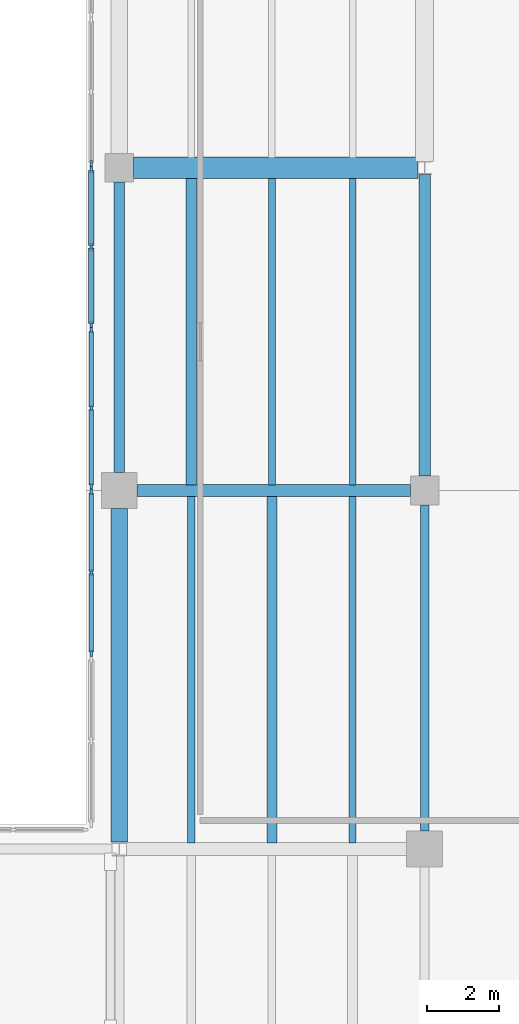
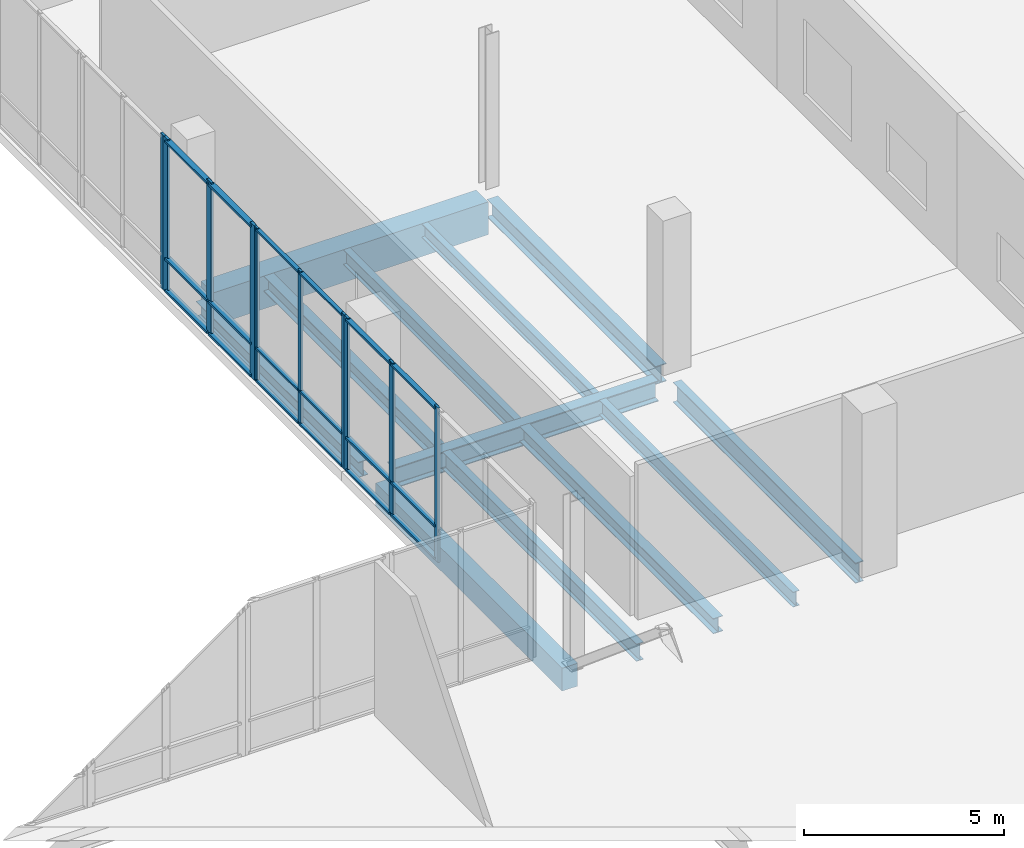
# One storey, part 42 of 73: 28 members, 12 beams, 4 elements without a shape of their own.
"""IFC4 building model written with IfcOpenShell, lengths in metres."""

from ifc_helpers import new_model, si_unit, direction, frame, origin, origin_2d, place, context, subcontext, project, spatial, rectangle, i_section, extrude, material, material_profile, profile_set, type_object, element, aggregate, save


model = new_model("IFC4")

# Units and contexts
model_context = context("Model", 3, precision=1e-05, world=origin(), true_north=direction((0.0, 1.0)))
body_context = subcontext(model_context, "Body", "Model", "MODEL_VIEW")
ifc_project = project(units=[si_unit("LENGTHUNIT", "METRE"), si_unit("AREAUNIT", "SQUARE_METRE"), si_unit("VOLUMEUNIT", "CUBIC_METRE"), si_unit("PLANEANGLEUNIT", "RADIAN"), si_unit("MASSUNIT", "GRAM", prefix="KILO")], contexts=[model_context])

# Site, building, storey
site_placement = place(None, origin())
site = spatial("IfcSite", under=ifc_project, at=site_placement, CompositionType="ELEMENT")
building_placement = place(site_placement, origin())
building = spatial("IfcBuilding", under=site, at=building_placement, Name="Trimount Lyric Opera House", CompositionType="ELEMENT")
storey_placement = place(building_placement, frame((0.0, 0.0, 10.0)))
storey = spatial("IfcBuildingStorey", under=building, at=storey_placement, Name="L02", CompositionType="ELEMENT", Elevation=10.0)

# Beams
ifc_material_1 = material(Name="Steel ASTM A992 Grade 50", Category="steel")
ifc_material_profile_1 = material_profile(ifc_material_1, i_section(OverallWidth=0.327880859375, OverallDepth=0.626953125, WebThickness=0.0166015625, FlangeThickness=0.027587890625, FilletRadius=0.01611328125, at=origin_2d()), Name="W24X146")
ifc_profile_set_1 = profile_set([ifc_material_profile_1], Name="Steel ASTM A992 Grade 50")
beam_type_1 = type_object("IfcBeamType", Name="B-10", PredefinedType="BEAM", material=ifc_profile_set_1)
beam_1_placement = place(storey_placement, frame((148.739990234375, 84.0, -0.603515625), z_axis=(1.0, 0.0, 0.0), x_axis=(0.0, 1.0, 0.0)))
element("IfcBeam", 1, at=beam_1_placement, inside=storey, type_object=beam_type_1, Name="L02 girder X-0780", PredefinedType="BEAM", context=body_context, shape_type="SweptSolid", body=[
    extrude(i_section(OverallWidth=0.327880859375, OverallDepth=0.626953125, WebThickness=0.0166015625, FlangeThickness=0.027587890625, FilletRadius=0.01611328125, at=origin_2d()), origin(), (0.0, 0.0, 1.0), 7.6201171875),
])
ifc_material_2 = material(Name="Steel ASTM A992 Grade 50", Category="steel")
ifc_material_profile_2 = material_profile(ifc_material_2, i_section(OverallWidth=0.22998046875, OverallDepth=0.616943359375, WebThickness=0.01318359375, FlangeThickness=0.022216796875, FilletRadius=0.013916015625, at=origin_2d()), Name="W24X94")
ifc_profile_set_2 = profile_set([ifc_material_profile_2], Name="Steel ASTM A992 Grade 50")
beam_type_2 = type_object("IfcBeamType", Name="B-11", PredefinedType="BEAM", material=ifc_profile_set_2)
beam_2_placement = place(storey_placement, frame((156.760009765625, 74.5, -0.598388671875), z_axis=(0.0, 1.0, 0.0), x_axis=(-1.0, 0.0, 0.0)))
element("IfcBeam", 2, at=beam_2_placement, inside=storey, type_object=beam_type_2, Name="L02 girder Y-0919", PredefinedType="BEAM", context=body_context, shape_type="SweptSolid", body=[
    extrude(i_section(OverallWidth=0.22998046875, OverallDepth=0.616943359375, WebThickness=0.01318359375, FlangeThickness=0.022216796875, FilletRadius=0.013916015625, at=origin_2d()), origin(), (0.0, 0.0, 1.0), 9.10009765625),
])
ifc_material_3 = material(Name="Steel ASTM A992 Grade 50", Category="steel")
ifc_material_profile_3 = material_profile(ifc_material_3, i_section(OverallWidth=0.31201171875, OverallDepth=0.5458984375, WebThickness=0.013916015625, FlangeThickness=0.022216796875, FilletRadius=0.014892578125, at=origin_2d()), Name="W21X111")
ifc_profile_set_3 = profile_set([ifc_material_profile_3], Name="Steel ASTM A992 Grade 50")
beam_type_3 = type_object("IfcBeamType", Name="B-12", PredefinedType="BEAM", material=ifc_profile_set_3)
beam_3_placement = place(storey_placement, frame((156.760009765625, 84.39990234375, -0.56298828125), z_axis=(0.0, 1.0, 0.0), x_axis=(-1.0, 0.0, 0.0)))
element("IfcBeam", 3, at=beam_3_placement, inside=storey, type_object=beam_type_3, Name="L02 girder Y-0920", PredefinedType="BEAM", context=body_context, shape_type="SweptSolid", body=[
    extrude(i_section(OverallWidth=0.31201171875, OverallDepth=0.5458984375, WebThickness=0.013916015625, FlangeThickness=0.022216796875, FilletRadius=0.014892578125, at=origin_2d()), origin(), (0.0, 0.0, 1.0), 8.416015625),
])
ifc_material_4 = material(Name="Concrete C40/50", Category="concrete")
ifc_material_profile_4 = material_profile(ifc_material_4, rectangle(XDim=0.60009765625, YDim=1.0, at=origin_2d()), Name="RC600X1000")
ifc_profile_set_4 = profile_set([ifc_material_profile_4], Name="Concrete C40/50")
beam_type_4 = type_object("IfcBeamType", Name="B-13", PredefinedType="BEAM", material=ifc_profile_set_4)
beam_4_placement = place(storey_placement, frame((148.639892578125, 93.0, -0.7900390625), z_axis=(1.0, 0.0, 0.0), x_axis=(0.0, 1.0, 0.0)))
element("IfcBeam", 4, at=beam_4_placement, inside=storey, type_object=beam_type_4, Name="L02 girder X-0786", PredefinedType="BEAM", context=body_context, shape_type="SweptSolid", body=[
    extrude(rectangle(XDim=0.60009765625, YDim=1.0, at=origin_2d()), origin(), (0.0, 0.0, 1.0), 7.93359375),
])
ifc_material_5 = material(Name="Steel ASTM A992 Grade 50", Category="steel")
ifc_material_profile_5 = material_profile(ifc_material_5, i_section(OverallWidth=0.2099609375, OverallDepth=0.532958984375, WebThickness=0.01025390625, FlangeThickness=0.015625, FilletRadius=0.012939453125, at=origin_2d()), Name="W21X62")
ifc_profile_set_5 = profile_set([ifc_material_profile_5], Name="Steel ASTM A992 Grade 50")
beam_type_5 = type_object("IfcBeamType", Name="J-02", PredefinedType="BEAM", material=ifc_profile_set_5)
beam_5_placement = place(storey_placement, frame((150.25, 74.174072265625, -0.54638671875), z_axis=(0.0, 1.0, 0.0), x_axis=(-1.0, 0.0, 0.0)))
element("IfcBeam", 5, at=beam_5_placement, inside=storey, type_object=beam_type_5, Name="L02 composite floor joist 0950", PredefinedType="BEAM", context=body_context, shape_type="SweptSolid", body=[
    extrude(i_section(OverallWidth=0.2099609375, OverallDepth=0.532958984375, WebThickness=0.01025390625, FlangeThickness=0.015625, FilletRadius=0.012939453125, at=origin_2d()), origin(), (0.0, 0.0, 1.0), 9.666015625),
])
ifc_material_6 = material(Name="Steel ASTM A992 Grade 50", Category="steel")
ifc_material_profile_6 = material_profile(ifc_material_6, i_section(OverallWidth=0.281982421875, OverallDepth=0.467041015625, WebThickness=0.01220703125, FlangeThickness=0.01953125, FilletRadius=0.012939453125, at=origin_2d()), Name="W18X86")
ifc_profile_set_6 = profile_set([ifc_material_profile_6], Name="Steel ASTM A992 Grade 50")
beam_type_6 = type_object("IfcBeamType", Name="J-03", PredefinedType="BEAM", material=ifc_profile_set_6)
beam_6_placement = place(storey_placement, frame((152.5, 74.174072265625, -0.513427734375), z_axis=(0.0, 1.0, 0.0), x_axis=(-1.0, 0.0, 0.0)))
element("IfcBeam", 6, at=beam_6_placement, inside=storey, type_object=beam_type_6, Name="L02 composite floor joist 0951", PredefinedType="BEAM", context=body_context, shape_type="SweptSolid", body=[
    extrude(i_section(OverallWidth=0.281982421875, OverallDepth=0.467041015625, WebThickness=0.01220703125, FlangeThickness=0.01953125, FilletRadius=0.012939453125, at=origin_2d()), origin(), (0.0, 0.0, 1.0), 9.666015625),
])
beam_7_placement = place(storey_placement, frame((150.25, 84.159912109375, -0.5234375), z_axis=(0.0, 1.0, 0.0), x_axis=(-1.0, 0.0, 0.0)))
element("IfcBeam", 7, at=beam_7_placement, inside=storey, type_object=beam_type_6, Name="L02 composite floor joist 0953", PredefinedType="BEAM", context=body_context, shape_type="SweptSolid", body=[
    extrude(i_section(OverallWidth=0.281982421875, OverallDepth=0.467041015625, WebThickness=0.01220703125, FlangeThickness=0.01953125, FilletRadius=0.012939453125, at=origin_2d()), origin(), (0.0, 0.0, 1.0), 8.544189453125),
])
ifc_material_7 = material(Name="Steel ASTM A992 Grade 50", Category="steel")
ifc_material_profile_7 = material_profile(ifc_material_7, i_section(OverallWidth=0.19091796875, OverallDepth=0.45703125, WebThickness=0.009033203125, FlangeThickness=0.014404296875, FilletRadius=0.010986328125, at=origin_2d()), Name="W18X50")
ifc_profile_set_7 = profile_set([ifc_material_profile_7], Name="Steel ASTM A992 Grade 50")
beam_type_7 = type_object("IfcBeamType", Name="J-04", PredefinedType="BEAM", material=ifc_profile_set_7)
beam_8_placement = place(storey_placement, frame((154.75, 74.174072265625, -0.508544921875), z_axis=(0.0, 1.0, 0.0), x_axis=(-1.0, 0.0, 0.0)))
element("IfcBeam", 8, at=beam_8_placement, inside=storey, type_object=beam_type_7, Name="L02 composite floor joist 0952", PredefinedType="BEAM", context=body_context, shape_type="SweptSolid", body=[
    extrude(i_section(OverallWidth=0.19091796875, OverallDepth=0.45703125, WebThickness=0.009033203125, FlangeThickness=0.014404296875, FilletRadius=0.010986328125, at=origin_2d()), origin(), (0.0, 0.0, 1.0), 9.666015625),
])
beam_9_placement = place(storey_placement, frame((152.5, 84.159912109375, -0.5185546875), z_axis=(0.0, 1.0, 0.0), x_axis=(-1.0, 0.0, 0.0)))
element("IfcBeam", 9, at=beam_9_placement, inside=storey, type_object=beam_type_7, Name="L02 composite floor joist 0954", PredefinedType="BEAM", context=body_context, shape_type="SweptSolid", body=[
    extrude(i_section(OverallWidth=0.19091796875, OverallDepth=0.45703125, WebThickness=0.009033203125, FlangeThickness=0.014404296875, FilletRadius=0.010986328125, at=origin_2d()), origin(), (0.0, 0.0, 1.0), 8.544189453125),
])
ifc_material_8 = material(Name="Steel ASTM A992 Grade 50", Category="steel")
ifc_material_profile_8 = material_profile(ifc_material_8, i_section(OverallWidth=0.180908203125, OverallDepth=0.4169921875, WebThickness=0.010986328125, FlangeThickness=0.018310546875, FilletRadius=0.010986328125, at=origin_2d()), Name="W16X57")
ifc_profile_set_8 = profile_set([ifc_material_profile_8], Name="Steel ASTM A992 Grade 50")
beam_type_8 = type_object("IfcBeamType", Name="J-05", PredefinedType="BEAM", material=ifc_profile_set_8)
beam_10_placement = place(storey_placement, frame((154.75, 84.159912109375, -0.49853515625), z_axis=(0.0, 1.0, 0.0), x_axis=(-1.0, 0.0, 0.0)))
element("IfcBeam", 10, at=beam_10_placement, inside=storey, type_object=beam_type_8, Name="L02 composite floor joist 0955", PredefinedType="BEAM", context=body_context, shape_type="SweptSolid", body=[
    extrude(i_section(OverallWidth=0.180908203125, OverallDepth=0.4169921875, WebThickness=0.010986328125, FlangeThickness=0.018310546875, FilletRadius=0.010986328125, at=origin_2d()), origin(), (0.0, 0.0, 1.0), 8.544189453125),
])

# Curtain wall, members
ifc_material_9 = material(Name="Thermally Broken Aluminium and Low-E Glass", Category="aluminium")
curtain_wall_type = type_object("IfcCurtainWallType", Name="CW-03", PredefinedType="NOTDEFINED", material=ifc_material_9)
curtain_wall_1_placement = place(storey_placement, origin())
curtain_wall_1 = element("IfcCurtainWall", 11, at=curtain_wall_1_placement, inside=storey, type_object=curtain_wall_type, Name="L02 curtain wall 231", PredefinedType="NOTDEFINED")
ifc_material_10 = material(Name="Anodised Aluminium 6063-T6", Category="aluminium")
ifc_material_profile_9 = material_profile(ifc_material_10, rectangle(XDim=0.070068359375, YDim=0.219970703125, at=origin_2d()), Name="ALU-MULL-70X220")
ifc_profile_set_9 = profile_set([ifc_material_profile_9], Name="Anodised Aluminium 6063-T6")
member_type_1 = type_object("IfcMemberType", Name="ML-01", PredefinedType="MULLION", material=ifc_profile_set_9)
member_1_placement = place(storey_placement, frame((147.4599609375, 88.625, 0.0), z_axis=(0.0, 0.0, 1.0), x_axis=(-1.0, 0.0, 0.0)))
member_1 = element("IfcMember", 12, at=member_1_placement, type_object=member_type_1, Name="CW-03 mullion 1", PredefinedType="MULLION", context=body_context, shape_type="SweptSolid", body=[
    extrude(rectangle(XDim=0.070068359375, YDim=0.219970703125, at=origin_2d()), origin(), (0.0, 0.0, 1.0), 4.7099609375),
])
member_2_placement = place(storey_placement, frame((147.4599609375, 90.794921875, 0.0), z_axis=(0.0, 0.0, 1.0), x_axis=(-1.0, 0.0, 0.0)))
member_2 = element("IfcMember", 13, at=member_2_placement, type_object=member_type_1, Name="CW-03 mullion 2", PredefinedType="MULLION", context=body_context, shape_type="SweptSolid", body=[
    extrude(rectangle(XDim=0.070068359375, YDim=0.219970703125, at=origin_2d()), origin(), (0.0, 0.0, 1.0), 4.7099609375),
])
member_3_placement = place(storey_placement, frame((147.4599609375, 92.965087890625, 0.0), z_axis=(0.0, 0.0, 1.0), x_axis=(-1.0, 0.0, 0.0)))
member_3 = element("IfcMember", 14, at=member_3_placement, type_object=member_type_1, Name="CW-03 mullion 3", PredefinedType="MULLION", context=body_context, shape_type="SweptSolid", body=[
    extrude(rectangle(XDim=0.070068359375, YDim=0.219970703125, at=origin_2d()), origin(), (0.0, 0.0, 1.0), 4.7099609375),
])

curtain_wall_2_placement = place(storey_placement, origin())
curtain_wall_2 = element("IfcCurtainWall", 15, at=curtain_wall_2_placement, inside=storey, type_object=curtain_wall_type, Name="L02 curtain wall 229", PredefinedType="NOTDEFINED")
ifc_material_11 = material(Name="Anodised Aluminium 6063-T6", Category="aluminium")
ifc_material_profile_10 = material_profile(ifc_material_11, rectangle(XDim=0.06494140625, YDim=0.179931640625, at=origin_2d()), Name="ALU-MULL-65X180")
ifc_profile_set_10 = profile_set([ifc_material_profile_10], Name="Anodised Aluminium 6063-T6")
member_type_2 = type_object("IfcMemberType", Name="ML-02", PredefinedType="MULLION", material=ifc_profile_set_10)
member_4_placement = place(storey_placement, frame((147.4599609375, 79.46240234375, 0.0), z_axis=(0.0, 0.0, 1.0), x_axis=(-1.0, 0.0, 0.0)))
member_4 = element("IfcMember", 16, at=member_4_placement, type_object=member_type_2, Name="CW-03 mullion 1", PredefinedType="MULLION", context=body_context, shape_type="SweptSolid", body=[
    extrude(rectangle(XDim=0.06494140625, YDim=0.179931640625, at=origin_2d()), origin(), (0.0, 0.0, 1.0), 4.7099609375),
])
member_5_placement = place(storey_placement, frame((147.4599609375, 81.715087890625, 0.0), z_axis=(0.0, 0.0, 1.0), x_axis=(-1.0, 0.0, 0.0)))
member_5 = element("IfcMember", 17, at=member_5_placement, type_object=member_type_2, Name="CW-03 mullion 2", PredefinedType="MULLION", context=body_context, shape_type="SweptSolid", body=[
    extrude(rectangle(XDim=0.06494140625, YDim=0.179931640625, at=origin_2d()), origin(), (0.0, 0.0, 1.0), 4.7099609375),
])
member_6_placement = place(storey_placement, frame((147.4599609375, 83.967529296875, 0.0), z_axis=(0.0, 0.0, 1.0), x_axis=(-1.0, 0.0, 0.0)))
member_6 = element("IfcMember", 18, at=member_6_placement, type_object=member_type_2, Name="CW-03 mullion 3", PredefinedType="MULLION", context=body_context, shape_type="SweptSolid", body=[
    extrude(rectangle(XDim=0.06494140625, YDim=0.179931640625, at=origin_2d()), origin(), (0.0, 0.0, 1.0), 4.7099609375),
])

# Curtain wall, member
curtain_wall_3_placement = place(storey_placement, origin())
curtain_wall_3 = element("IfcCurtainWall", 19, at=curtain_wall_3_placement, inside=storey, type_object=curtain_wall_type, Name="L02 curtain wall 232", PredefinedType="NOTDEFINED")
member_7_placement = place(storey_placement, frame((147.4599609375, 93.12255859375, 0.0), z_axis=(0.0, 0.0, 1.0), x_axis=(-1.0, 0.0, 0.0)))
member_7 = element("IfcMember", 20, at=member_7_placement, type_object=member_type_2, Name="CW-03 mullion 1", PredefinedType="MULLION", context=body_context, shape_type="SweptSolid", body=[
    extrude(rectangle(XDim=0.06494140625, YDim=0.179931640625, at=origin_2d()), origin(), (0.0, 0.0, 1.0), 4.7099609375),
])
aggregate(curtain_wall_3, [member_7])

# Curtain wall, members
curtain_wall_4_placement = place(storey_placement, origin())
curtain_wall_4 = element("IfcCurtainWall", 21, at=curtain_wall_4_placement, inside=storey, type_object=curtain_wall_type, Name="L02 curtain wall 230", PredefinedType="NOTDEFINED")
ifc_material_12 = material(Name="Anodised Aluminium 6063-T6", Category="aluminium")
ifc_material_profile_11 = material_profile(ifc_material_12, rectangle(XDim=0.06005859375, YDim=0.14990234375, at=origin_2d()), Name="ALU-MULL-60X150")
ifc_profile_set_11 = profile_set([ifc_material_profile_11], Name="Anodised Aluminium 6063-T6")
member_type_3 = type_object("IfcMemberType", Name="ML-03", PredefinedType="MULLION", material=ifc_profile_set_11)
member_8_placement = place(storey_placement, frame((147.4599609375, 84.1201171875, 0.0), z_axis=(0.0, 0.0, 1.0), x_axis=(-1.0, 0.0, 0.0)))
member_8 = element("IfcMember", 22, at=member_8_placement, type_object=member_type_3, Name="CW-03 mullion 1", PredefinedType="MULLION", context=body_context, shape_type="SweptSolid", body=[
    extrude(rectangle(XDim=0.06005859375, YDim=0.14990234375, at=origin_2d()), origin(), (0.0, 0.0, 1.0), 4.7099609375),
])
member_9_placement = place(storey_placement, frame((147.4599609375, 86.294921875, 0.0), z_axis=(0.0, 0.0, 1.0), x_axis=(-1.0, 0.0, 0.0)))
member_9 = element("IfcMember", 23, at=member_9_placement, type_object=member_type_3, Name="CW-03 mullion 2", PredefinedType="MULLION", context=body_context, shape_type="SweptSolid", body=[
    extrude(rectangle(XDim=0.06005859375, YDim=0.14990234375, at=origin_2d()), origin(), (0.0, 0.0, 1.0), 4.7099609375),
])
member_10_placement = place(storey_placement, frame((147.4599609375, 88.469970703125, 0.0), z_axis=(0.0, 0.0, 1.0), x_axis=(-1.0, 0.0, 0.0)))
member_10 = element("IfcMember", 24, at=member_10_placement, type_object=member_type_3, Name="CW-03 mullion 3", PredefinedType="MULLION", context=body_context, shape_type="SweptSolid", body=[
    extrude(rectangle(XDim=0.06005859375, YDim=0.14990234375, at=origin_2d()), origin(), (0.0, 0.0, 1.0), 4.7099609375),
])

# Beams
ifc_material_13 = material(Name="Steel ASTM A992 Grade 50", Category="steel")
ifc_material_profile_12 = material_profile(ifc_material_13, i_section(OverallWidth=0.281982421875, OverallDepth=0.467041015625, WebThickness=0.01220703125, FlangeThickness=0.01953125, FilletRadius=0.012939453125, at=origin_2d()), Name="W18X86")
ifc_profile_set_12 = profile_set([ifc_material_profile_12], Name="Steel ASTM A992 Grade 50")
beam_type_9 = type_object("IfcBeamType", Name="SP-01", PredefinedType="SPANDREL", material=ifc_profile_set_12)
beam_11_placement = place(storey_placement, frame((148.239990234375, 84.5, -0.5234375), z_axis=(0.0, 1.0, 0.0), x_axis=(-1.0, 0.0, 0.0)))
element("IfcBeam", 25, at=beam_11_placement, inside=storey, type_object=beam_type_9, Name="L02 girder Y-0913", PredefinedType="SPANDREL", context=body_context, shape_type="SweptSolid", body=[
    extrude(i_section(OverallWidth=0.281982421875, OverallDepth=0.467041015625, WebThickness=0.01220703125, FlangeThickness=0.01953125, FilletRadius=0.012939453125, at=origin_2d()), origin(), (0.0, 0.0, 1.0), 8.10009765625),
])
ifc_material_14 = material(Name="Concrete C40/50", Category="concrete")
ifc_material_profile_13 = material_profile(ifc_material_14, rectangle(XDim=0.449951171875, YDim=0.699951171875, at=origin_2d()), Name="RC450X700")
ifc_profile_set_13 = profile_set([ifc_material_profile_13], Name="Concrete C40/50")
beam_type_10 = type_object("IfcBeamType", Name="SP-02", PredefinedType="SPANDREL", material=ifc_profile_set_13)
beam_12_placement = place(storey_placement, frame((148.239990234375, 74.193115234375, -0.6298828125), z_axis=(0.0, 1.0, 0.0), x_axis=(-1.0, 0.0, 0.0)))
element("IfcBeam", 26, at=beam_12_placement, inside=storey, type_object=beam_type_10, Name="L02 girder Y-0912", PredefinedType="SPANDREL", context=body_context, shape_type="SweptSolid", body=[
    extrude(rectangle(XDim=0.449951171875, YDim=0.699951171875, at=origin_2d()), origin(), (0.0, 0.0, 1.0), 9.306884765625),
])

# Member
ifc_material_15 = material(Name="Anodised Aluminium 6063-T6", Category="aluminium")
ifc_material_profile_14 = material_profile(ifc_material_15, rectangle(XDim=0.159912109375, YDim=0.070068359375, at=origin_2d()), Name="ALU-TRAN-70X160")
ifc_profile_set_14 = profile_set([ifc_material_profile_14], Name="Anodised Aluminium 6063-T6")
member_type_4 = type_object("IfcMemberType", Name="TR-01", PredefinedType="USERDEFINED", material=ifc_profile_set_14)
member_11_placement = place(storey_placement, frame((147.4599609375, 88.659912109375, 0.080078125), z_axis=(0.0, 1.0, 0.0), x_axis=(-1.0, 0.0, 0.0)))
member_11 = element("IfcMember", 27, at=member_11_placement, type_object=member_type_4, Name="CW-03 transom 1.1", ObjectType="TRANSOM", PredefinedType="USERDEFINED", context=body_context, shape_type="SweptSolid", body=[
    extrude(rectangle(XDim=0.159912109375, YDim=0.070068359375, at=origin_2d()), origin(), (0.0, 0.0, 1.0), 2.10009765625),
])

member_12_placement = place(storey_placement, frame((147.4599609375, 88.659912109375, 1.050048828125), z_axis=(0.0, 1.0, 0.0), x_axis=(-1.0, 0.0, 0.0)))
member_12 = element("IfcMember", 28, at=member_12_placement, type_object=member_type_4, Name="CW-03 transom 1.2", ObjectType="TRANSOM", PredefinedType="USERDEFINED", context=body_context, shape_type="SweptSolid", body=[
    extrude(rectangle(XDim=0.159912109375, YDim=0.070068359375, at=origin_2d()), origin(), (0.0, 0.0, 1.0), 2.10009765625),
])

member_13_placement = place(storey_placement, frame((147.4599609375, 88.659912109375, 4.6298828125), z_axis=(0.0, 1.0, 0.0), x_axis=(-1.0, 0.0, 0.0)))
member_13 = element("IfcMember", 29, at=member_13_placement, type_object=member_type_4, Name="CW-03 transom 1.3", ObjectType="TRANSOM", PredefinedType="USERDEFINED", context=body_context, shape_type="SweptSolid", body=[
    extrude(rectangle(XDim=0.159912109375, YDim=0.070068359375, at=origin_2d()), origin(), (0.0, 0.0, 1.0), 2.10009765625),
])

member_14_placement = place(storey_placement, frame((147.4599609375, 90.830078125, 0.080078125), z_axis=(0.0, 1.0, 0.0), x_axis=(-1.0, 0.0, 0.0)))
member_14 = element("IfcMember", 30, at=member_14_placement, type_object=member_type_4, Name="CW-03 transom 2.1", ObjectType="TRANSOM", PredefinedType="USERDEFINED", context=body_context, shape_type="SweptSolid", body=[
    extrude(rectangle(XDim=0.159912109375, YDim=0.070068359375, at=origin_2d()), origin(), (0.0, 0.0, 1.0), 2.099853515625),
])

member_15_placement = place(storey_placement, frame((147.4599609375, 90.830078125, 1.050048828125), z_axis=(0.0, 1.0, 0.0), x_axis=(-1.0, 0.0, 0.0)))
member_15 = element("IfcMember", 31, at=member_15_placement, type_object=member_type_4, Name="CW-03 transom 2.2", ObjectType="TRANSOM", PredefinedType="USERDEFINED", context=body_context, shape_type="SweptSolid", body=[
    extrude(rectangle(XDim=0.159912109375, YDim=0.070068359375, at=origin_2d()), origin(), (0.0, 0.0, 1.0), 2.099853515625),
])

member_16_placement = place(storey_placement, frame((147.4599609375, 90.830078125, 4.6298828125), z_axis=(0.0, 1.0, 0.0), x_axis=(-1.0, 0.0, 0.0)))
member_16 = element("IfcMember", 32, at=member_16_placement, type_object=member_type_4, Name="CW-03 transom 2.3", ObjectType="TRANSOM", PredefinedType="USERDEFINED", context=body_context, shape_type="SweptSolid", body=[
    extrude(rectangle(XDim=0.159912109375, YDim=0.070068359375, at=origin_2d()), origin(), (0.0, 0.0, 1.0), 2.099853515625),
])

aggregate(curtain_wall_1, [member_1, member_2, member_3, member_11, member_12, member_13, member_14, member_15, member_16])

ifc_material_16 = material(Name="Anodised Aluminium 6063-T6", Category="aluminium")
ifc_material_profile_15 = material_profile(ifc_material_16, rectangle(XDim=0.135009765625, YDim=0.06494140625, at=origin_2d()), Name="ALU-TRAN-65X135")
ifc_profile_set_15 = profile_set([ifc_material_profile_15], Name="Anodised Aluminium 6063-T6")
member_type_5 = type_object("IfcMemberType", Name="TR-02", PredefinedType="USERDEFINED", material=ifc_profile_set_15)
member_17_placement = place(storey_placement, frame((147.4599609375, 79.4951171875, 0.0673828125), z_axis=(0.0, 1.0, 0.0), x_axis=(-1.0, 0.0, 0.0)))
member_17 = element("IfcMember", 33, at=member_17_placement, type_object=member_type_5, Name="CW-03 transom 1.1", ObjectType="TRANSOM", PredefinedType="USERDEFINED", context=body_context, shape_type="SweptSolid", body=[
    extrude(rectangle(XDim=0.135009765625, YDim=0.06494140625, at=origin_2d()), origin(), (0.0, 0.0, 1.0), 2.1875),
])

member_18_placement = place(storey_placement, frame((147.4599609375, 79.4951171875, 1.050048828125), z_axis=(0.0, 1.0, 0.0), x_axis=(-1.0, 0.0, 0.0)))
member_18 = element("IfcMember", 34, at=member_18_placement, type_object=member_type_5, Name="CW-03 transom 1.2", ObjectType="TRANSOM", PredefinedType="USERDEFINED", context=body_context, shape_type="SweptSolid", body=[
    extrude(rectangle(XDim=0.135009765625, YDim=0.06494140625, at=origin_2d()), origin(), (0.0, 0.0, 1.0), 2.1875),
])

member_19_placement = place(storey_placement, frame((147.4599609375, 79.4951171875, 4.642578125), z_axis=(0.0, 1.0, 0.0), x_axis=(-1.0, 0.0, 0.0)))
member_19 = element("IfcMember", 35, at=member_19_placement, type_object=member_type_5, Name="CW-03 transom 1.3", ObjectType="TRANSOM", PredefinedType="USERDEFINED", context=body_context, shape_type="SweptSolid", body=[
    extrude(rectangle(XDim=0.135009765625, YDim=0.06494140625, at=origin_2d()), origin(), (0.0, 0.0, 1.0), 2.1875),
])

member_20_placement = place(storey_placement, frame((147.4599609375, 81.74755859375, 0.0673828125), z_axis=(0.0, 1.0, 0.0), x_axis=(-1.0, 0.0, 0.0)))
member_20 = element("IfcMember", 36, at=member_20_placement, type_object=member_type_5, Name="CW-03 transom 2.1", ObjectType="TRANSOM", PredefinedType="USERDEFINED", context=body_context, shape_type="SweptSolid", body=[
    extrude(rectangle(XDim=0.135009765625, YDim=0.06494140625, at=origin_2d()), origin(), (0.0, 0.0, 1.0), 2.1875),
])

member_21_placement = place(storey_placement, frame((147.4599609375, 81.74755859375, 1.050048828125), z_axis=(0.0, 1.0, 0.0), x_axis=(-1.0, 0.0, 0.0)))
member_21 = element("IfcMember", 37, at=member_21_placement, type_object=member_type_5, Name="CW-03 transom 2.2", ObjectType="TRANSOM", PredefinedType="USERDEFINED", context=body_context, shape_type="SweptSolid", body=[
    extrude(rectangle(XDim=0.135009765625, YDim=0.06494140625, at=origin_2d()), origin(), (0.0, 0.0, 1.0), 2.1875),
])

member_22_placement = place(storey_placement, frame((147.4599609375, 81.74755859375, 4.642578125), z_axis=(0.0, 1.0, 0.0), x_axis=(-1.0, 0.0, 0.0)))
member_22 = element("IfcMember", 38, at=member_22_placement, type_object=member_type_5, Name="CW-03 transom 2.3", ObjectType="TRANSOM", PredefinedType="USERDEFINED", context=body_context, shape_type="SweptSolid", body=[
    extrude(rectangle(XDim=0.135009765625, YDim=0.06494140625, at=origin_2d()), origin(), (0.0, 0.0, 1.0), 2.1875),
])

aggregate(curtain_wall_2, [member_4, member_5, member_6, member_17, member_18, member_19, member_20, member_21, member_22])

ifc_material_17 = material(Name="Anodised Aluminium 6063-T6", Category="aluminium")
ifc_material_profile_16 = material_profile(ifc_material_17, rectangle(XDim=0.114990234375, YDim=0.06005859375, at=origin_2d()), Name="ALU-TRAN-60X115")
ifc_profile_set_16 = profile_set([ifc_material_profile_16], Name="Anodised Aluminium 6063-T6")
member_type_6 = type_object("IfcMemberType", Name="TR-03", PredefinedType="USERDEFINED", material=ifc_profile_set_16)
member_23_placement = place(storey_placement, frame((147.4599609375, 84.14990234375, 0.0576171875), z_axis=(0.0, 1.0, 0.0), x_axis=(-1.0, 0.0, 0.0)))
member_23 = element("IfcMember", 39, at=member_23_placement, type_object=member_type_6, Name="CW-03 transom 1.1", ObjectType="TRANSOM", PredefinedType="USERDEFINED", context=body_context, shape_type="SweptSolid", body=[
    extrude(rectangle(XDim=0.114990234375, YDim=0.06005859375, at=origin_2d()), origin(), (0.0, 0.0, 1.0), 2.114990234375),
])

member_24_placement = place(storey_placement, frame((147.4599609375, 84.14990234375, 1.050048828125), z_axis=(0.0, 1.0, 0.0), x_axis=(-1.0, 0.0, 0.0)))
member_24 = element("IfcMember", 40, at=member_24_placement, type_object=member_type_6, Name="CW-03 transom 1.2", ObjectType="TRANSOM", PredefinedType="USERDEFINED", context=body_context, shape_type="SweptSolid", body=[
    extrude(rectangle(XDim=0.114990234375, YDim=0.06005859375, at=origin_2d()), origin(), (0.0, 0.0, 1.0), 2.114990234375),
])

member_25_placement = place(storey_placement, frame((147.4599609375, 84.14990234375, 4.652587890625), z_axis=(0.0, 1.0, 0.0), x_axis=(-1.0, 0.0, 0.0)))
member_25 = element("IfcMember", 41, at=member_25_placement, type_object=member_type_6, Name="CW-03 transom 1.3", ObjectType="TRANSOM", PredefinedType="USERDEFINED", context=body_context, shape_type="SweptSolid", body=[
    extrude(rectangle(XDim=0.114990234375, YDim=0.06005859375, at=origin_2d()), origin(), (0.0, 0.0, 1.0), 2.114990234375),
])

member_26_placement = place(storey_placement, frame((147.4599609375, 86.324951171875, 0.0576171875), z_axis=(0.0, 1.0, 0.0), x_axis=(-1.0, 0.0, 0.0)))
member_26 = element("IfcMember", 42, at=member_26_placement, type_object=member_type_6, Name="CW-03 transom 2.1", ObjectType="TRANSOM", PredefinedType="USERDEFINED", context=body_context, shape_type="SweptSolid", body=[
    extrude(rectangle(XDim=0.114990234375, YDim=0.06005859375, at=origin_2d()), origin(), (0.0, 0.0, 1.0), 2.114990234375),
])

member_27_placement = place(storey_placement, frame((147.4599609375, 86.324951171875, 1.050048828125), z_axis=(0.0, 1.0, 0.0), x_axis=(-1.0, 0.0, 0.0)))
member_27 = element("IfcMember", 43, at=member_27_placement, type_object=member_type_6, Name="CW-03 transom 2.2", ObjectType="TRANSOM", PredefinedType="USERDEFINED", context=body_context, shape_type="SweptSolid", body=[
    extrude(rectangle(XDim=0.114990234375, YDim=0.06005859375, at=origin_2d()), origin(), (0.0, 0.0, 1.0), 2.114990234375),
])

member_28_placement = place(storey_placement, frame((147.4599609375, 86.324951171875, 4.652587890625), z_axis=(0.0, 1.0, 0.0), x_axis=(-1.0, 0.0, 0.0)))
member_28 = element("IfcMember", 44, at=member_28_placement, type_object=member_type_6, Name="CW-03 transom 2.3", ObjectType="TRANSOM", PredefinedType="USERDEFINED", context=body_context, shape_type="SweptSolid", body=[
    extrude(rectangle(XDim=0.114990234375, YDim=0.06005859375, at=origin_2d()), origin(), (0.0, 0.0, 1.0), 2.114990234375),
])

aggregate(curtain_wall_4, [member_8, member_9, member_10, member_23, member_24, member_25, member_26, member_27, member_28])

save(model, "model.ifc")
